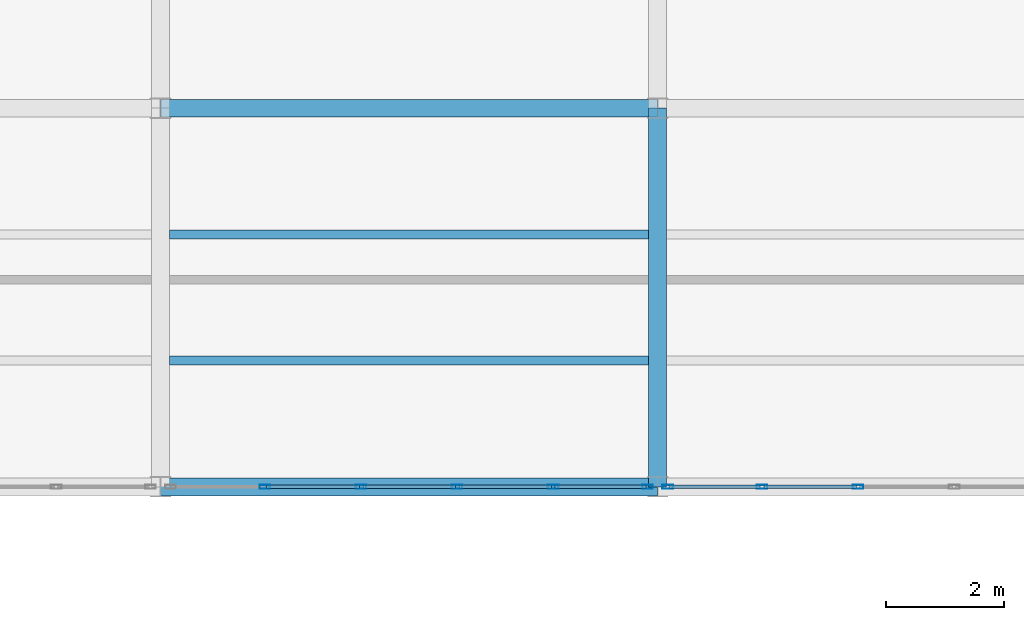
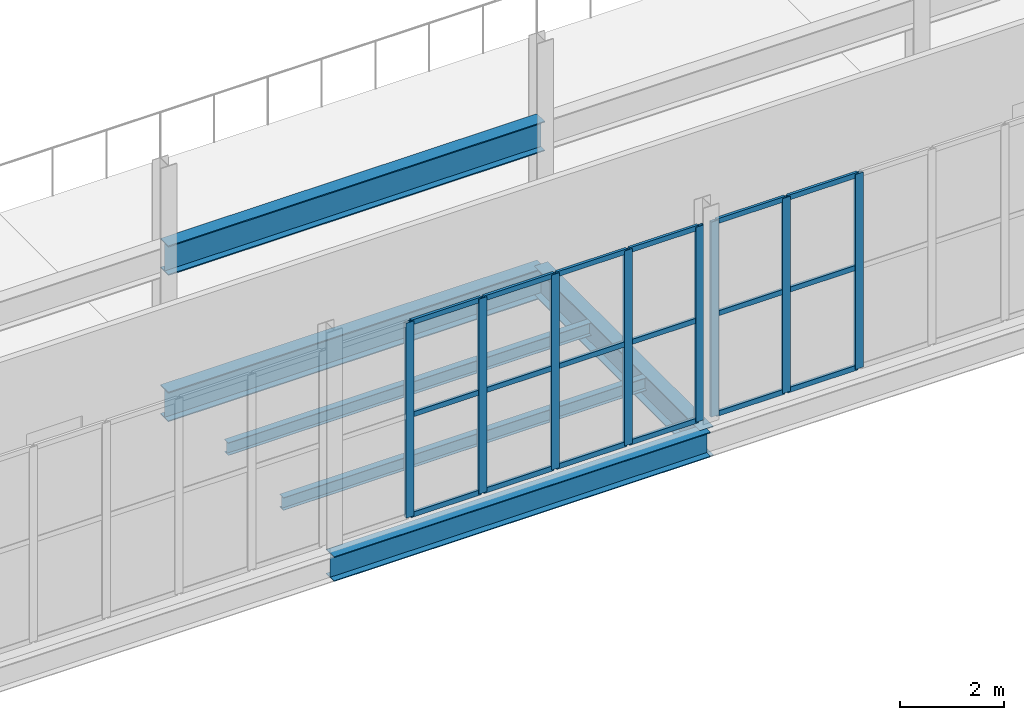
# One storey, part 65 of 218: 26 members, 6 beams, 2 elements without a shape of their own.
"""IFC4 building model written with IfcOpenShell, lengths in metres."""

from ifc_helpers import new_model, si_unit, direction, frame, origin, origin_2d, place, context, subcontext, project, spatial, hollow_rectangle, i_section, extrude, material, material_profile, profile_set, type_object, element, aggregate, save


model = new_model("IFC4")

# Units and contexts
model_context = context("Model", 3, precision=1e-05, world=origin(), true_north=direction((0.0, 1.0)))
body_context = subcontext(model_context, "Body", "Model", "MODEL_VIEW")
ifc_project = project(units=[si_unit("LENGTHUNIT", "METRE"), si_unit("AREAUNIT", "SQUARE_METRE"), si_unit("VOLUMEUNIT", "CUBIC_METRE"), si_unit("PLANEANGLEUNIT", "RADIAN"), si_unit("MASSUNIT", "GRAM", prefix="KILO")], contexts=[model_context])

# Site, building, storey
site_placement = place(None, origin())
site = spatial("IfcSite", under=ifc_project, at=site_placement, CompositionType="ELEMENT")
building_placement = place(site_placement, origin())
building = spatial("IfcBuilding", under=site, at=building_placement, Name="Kazenagashi Tramway Depot", CompositionType="ELEMENT")
storey_placement = place(building_placement, frame((0.0, 0.0, 6.0)))
storey = spatial("IfcBuildingStorey", under=building, at=storey_placement, Name="L02", CompositionType="ELEMENT", Elevation=6.0)

# Beams
ifc_material_1 = material(Name="Steel SN490B", Category="steel")
ifc_material_profile_1 = material_profile(ifc_material_1, i_section(OverallWidth=0.3, OverallDepth=0.7, WebThickness=0.013, FlangeThickness=0.024, at=origin_2d()), Name="H-700x300x13x24")
ifc_profile_set_1 = profile_set([ifc_material_profile_1], Name="Steel SN490B")
beam_type_1 = type_object("IfcBeamType", Name="G-02", PredefinedType="BEAM", material=ifc_profile_set_1)
beam_1_placement = place(storey_placement, frame((78.4, 22.9, -0.6), z_axis=(1.0, 0.0, 0.0), x_axis=(0.0, 1.0, 0.0)))
element("IfcBeam", 1, at=beam_1_placement, inside=storey, type_object=beam_type_1, Name="Beam G-02 BM-1010", PredefinedType="BEAM", context=body_context, shape_type="SweptSolid", body=[
    extrude(i_section(OverallWidth=0.3, OverallDepth=0.7, WebThickness=0.013, FlangeThickness=0.024, at=origin_2d()), origin(), (0.0, 0.0, 1.0), 8.4),
])
beam_2_placement = place(storey_placement, frame((86.8, 16.5, -0.6), z_axis=(0.0, 1.0, 0.0), x_axis=(-1.0, 0.0, 0.0)))
element("IfcBeam", 2, at=beam_2_placement, inside=storey, type_object=beam_type_1, Name="Beam G-02 BM-1059", PredefinedType="BEAM", context=body_context, shape_type="SweptSolid", body=[
    extrude(i_section(OverallWidth=0.3, OverallDepth=0.7, WebThickness=0.013, FlangeThickness=0.024, at=origin_2d()), origin(), (0.0, 0.0, 1.0), 6.4),
])
beam_3_placement = place(storey_placement, frame((78.4, 22.9, 2.85), z_axis=(1.0, 0.0, 0.0), x_axis=(0.0, 1.0, 0.0)))
element("IfcBeam", 3, at=beam_3_placement, inside=storey, type_object=beam_type_1, Name="Beam G-02 BM-1153", PredefinedType="BEAM", context=body_context, shape_type="SweptSolid", body=[
    extrude(i_section(OverallWidth=0.3, OverallDepth=0.7, WebThickness=0.013, FlangeThickness=0.024, at=origin_2d()), origin(), (0.0, 0.0, 1.0), 8.4),
])
ifc_material_2 = material(Name="Steel SN400B", Category="steel")
ifc_material_profile_2 = material_profile(ifc_material_2, i_section(OverallWidth=0.15, OverallDepth=0.3, WebThickness=0.0065, FlangeThickness=0.009, at=origin_2d()), Name="H-300x150x6.5x9")
ifc_profile_set_2 = profile_set([ifc_material_profile_2], Name="Steel SN400B")
beam_type_2 = type_object("IfcBeamType", Name="J-02", PredefinedType="JOIST", material=ifc_profile_set_2)
for number, where, z_axis, x_axis, name in (
    (4, (78.55, 18.633, -0.4), (1.0, 0.0, 0.0), (0.0, 1.0, 0.0), "Beam J-02 BM-1054"),
    (5, (78.55, 20.767, -0.4), (1.0, 0.0, 0.0), (0.0, 1.0, 0.0), "Beam J-02 BM-1055"),
):
    element("IfcBeam", number, at=place(storey_placement, frame(where, z_axis=z_axis, x_axis=x_axis)), inside=storey, type_object=beam_type_2, Name=name, PredefinedType="JOIST", context=body_context, shape_type="SweptSolid", body=[
        extrude(i_section(OverallWidth=0.15, OverallDepth=0.3, WebThickness=0.0065, FlangeThickness=0.009, at=origin_2d()), origin(), (0.0, 0.0, 1.0), 8.1),
    ])

# Curtain wall, members
ifc_material_3 = material(Name="Anodised Aluminium and Low-E Glazing", Category="aluminium")
curtain_wall_type = type_object("IfcCurtainWallType", Name="CW-20", PredefinedType="USERDEFINED", material=ifc_material_3)
curtain_wall_1_placement = place(storey_placement, origin())
curtain_wall_1 = element("IfcCurtainWall", 6, at=curtain_wall_1_placement, inside=storey, type_object=curtain_wall_type, Name="Industrial Glazed Screen CW-20 CW-0099", ObjectType="GLAZED SCREEN", PredefinedType="USERDEFINED")
ifc_material_4 = material(Name="Anodised Aluminium", Category="aluminium")
ifc_material_profile_3 = material_profile(ifc_material_4, hollow_rectangle(XDim=0.07, YDim=0.18, WallThickness=0.005, at=origin_2d()), Name="RHS-180x70x5")
ifc_profile_set_3 = profile_set([ifc_material_profile_3], Name="Anodised Aluminium")
member_type_1 = type_object("IfcMemberType", Name="ML-02", PredefinedType="MULLION", material=ifc_profile_set_3)
member_1_placement = place(storey_placement, frame((80.164, 16.5, 0.0), z_axis=(0.0, 0.0, 1.0), x_axis=(0.0, 1.0, 0.0)))
member_1 = element("IfcMember", 7, at=member_1_placement, type_object=member_type_1, Name="CW-20 mullion 2", PredefinedType="MULLION", context=body_context, shape_type="SweptSolid", body=[
    extrude(hollow_rectangle(XDim=0.07, YDim=0.18, WallThickness=0.005, at=origin_2d()), origin(), (0.0, 0.0, 1.0), 4.6),
])
member_2_placement = place(storey_placement, frame((81.788, 16.5, 0.0), z_axis=(0.0, 0.0, 1.0), x_axis=(0.0, 1.0, 0.0)))
member_2 = element("IfcMember", 8, at=member_2_placement, type_object=member_type_1, Name="CW-20 mullion 3", PredefinedType="MULLION", context=body_context, shape_type="SweptSolid", body=[
    extrude(hollow_rectangle(XDim=0.07, YDim=0.18, WallThickness=0.005, at=origin_2d()), origin(), (0.0, 0.0, 1.0), 4.6),
])
member_3_placement = place(storey_placement, frame((83.412, 16.5, 0.0), z_axis=(0.0, 0.0, 1.0), x_axis=(0.0, 1.0, 0.0)))
member_3 = element("IfcMember", 9, at=member_3_placement, type_object=member_type_1, Name="CW-20 mullion 4", PredefinedType="MULLION", context=body_context, shape_type="SweptSolid", body=[
    extrude(hollow_rectangle(XDim=0.07, YDim=0.18, WallThickness=0.005, at=origin_2d()), origin(), (0.0, 0.0, 1.0), 4.6),
])
member_4_placement = place(storey_placement, frame((85.036, 16.5, 0.0), z_axis=(0.0, 0.0, 1.0), x_axis=(0.0, 1.0, 0.0)))
member_4 = element("IfcMember", 10, at=member_4_placement, type_object=member_type_1, Name="CW-20 mullion 5", PredefinedType="MULLION", context=body_context, shape_type="SweptSolid", body=[
    extrude(hollow_rectangle(XDim=0.07, YDim=0.18, WallThickness=0.005, at=origin_2d()), origin(), (0.0, 0.0, 1.0), 4.6),
])
member_5_placement = place(storey_placement, frame((86.63, 16.5, 0.0), z_axis=(0.0, 0.0, 1.0), x_axis=(0.0, 1.0, 0.0)))
member_5 = element("IfcMember", 11, at=member_5_placement, type_object=member_type_1, Name="CW-20 mullion 6", PredefinedType="MULLION", context=body_context, shape_type="SweptSolid", body=[
    extrude(hollow_rectangle(XDim=0.07, YDim=0.18, WallThickness=0.005, at=origin_2d()), origin(), (0.0, 0.0, 1.0), 4.6),
])

curtain_wall_2_placement = place(storey_placement, origin())
curtain_wall_2 = element("IfcCurtainWall", 12, at=curtain_wall_2_placement, inside=storey, type_object=curtain_wall_type, Name="Industrial Glazed Screen CW-20 CW-0100", ObjectType="GLAZED SCREEN", PredefinedType="USERDEFINED")
member_6_placement = place(storey_placement, frame((86.97, 16.5, 0.0), z_axis=(0.0, 0.0, 1.0), x_axis=(0.0, 1.0, 0.0)))
member_6 = element("IfcMember", 13, at=member_6_placement, type_object=member_type_1, Name="CW-20 mullion 1", PredefinedType="MULLION", context=body_context, shape_type="SweptSolid", body=[
    extrude(hollow_rectangle(XDim=0.07, YDim=0.18, WallThickness=0.005, at=origin_2d()), origin(), (0.0, 0.0, 1.0), 4.6),
])
member_7_placement = place(storey_placement, frame((88.564, 16.5, 0.0), z_axis=(0.0, 0.0, 1.0), x_axis=(0.0, 1.0, 0.0)))
member_7 = element("IfcMember", 14, at=member_7_placement, type_object=member_type_1, Name="CW-20 mullion 2", PredefinedType="MULLION", context=body_context, shape_type="SweptSolid", body=[
    extrude(hollow_rectangle(XDim=0.07, YDim=0.18, WallThickness=0.005, at=origin_2d()), origin(), (0.0, 0.0, 1.0), 4.6),
])
member_8_placement = place(storey_placement, frame((90.188, 16.5, 0.0), z_axis=(0.0, 0.0, 1.0), x_axis=(0.0, 1.0, 0.0)))
member_8 = element("IfcMember", 15, at=member_8_placement, type_object=member_type_1, Name="CW-20 mullion 3", PredefinedType="MULLION", context=body_context, shape_type="SweptSolid", body=[
    extrude(hollow_rectangle(XDim=0.07, YDim=0.18, WallThickness=0.005, at=origin_2d()), origin(), (0.0, 0.0, 1.0), 4.6),
])

# Beam
ifc_material_profile_4 = material_profile(ifc_material_1, i_section(OverallWidth=0.3, OverallDepth=0.588, WebThickness=0.012, FlangeThickness=0.02, at=origin_2d()), Name="H-588x300x12x20")
ifc_profile_set_4 = profile_set([ifc_material_profile_4], Name="Steel SN490B")
beam_type_3 = type_object("IfcBeamType", Name="SP-01", PredefinedType="SPANDREL", material=ifc_profile_set_4)
beam_4_placement = place(storey_placement, frame((78.4, 16.5, -0.544), z_axis=(1.0, 0.0, 0.0), x_axis=(0.0, 1.0, 0.0)))
element("IfcBeam", 16, at=beam_4_placement, inside=storey, type_object=beam_type_3, Name="Beam SP-01 BM-0998", PredefinedType="SPANDREL", context=body_context, shape_type="SweptSolid", body=[
    extrude(i_section(OverallWidth=0.3, OverallDepth=0.588, WebThickness=0.012, FlangeThickness=0.02, at=origin_2d()), origin(), (0.0, 0.0, 1.0), 8.4),
])

# Member
ifc_material_profile_5 = material_profile(ifc_material_4, hollow_rectangle(XDim=0.06, YDim=0.12, WallThickness=0.004, at=origin_2d()), Name="RHS-120x60x4")
ifc_profile_set_5 = profile_set([ifc_material_profile_5], Name="Anodised Aluminium")
member_type_2 = type_object("IfcMemberType", Name="TR-01", PredefinedType="USERDEFINED", material=ifc_profile_set_5)
member_9_placement = place(storey_placement, frame((80.194, 16.5, 0.03), z_axis=(1.0, 0.0, 0.0), x_axis=(0.0, 1.0, 0.0)))
member_9 = element("IfcMember", 17, at=member_9_placement, type_object=member_type_2, Name="CW-20 transom 2.1", ObjectType="TRANSOM", PredefinedType="USERDEFINED", context=body_context, shape_type="SweptSolid", body=[
    extrude(hollow_rectangle(XDim=0.06, YDim=0.12, WallThickness=0.004, at=origin_2d()), origin(), (0.0, 0.0, 1.0), 1.564),
])

member_10_placement = place(storey_placement, frame((80.194, 16.5, 2.392), z_axis=(1.0, 0.0, 0.0), x_axis=(0.0, 1.0, 0.0)))
member_10 = element("IfcMember", 18, at=member_10_placement, type_object=member_type_2, Name="CW-20 transom 2.2", ObjectType="TRANSOM", PredefinedType="USERDEFINED", context=body_context, shape_type="SweptSolid", body=[
    extrude(hollow_rectangle(XDim=0.06, YDim=0.12, WallThickness=0.004, at=origin_2d()), origin(), (0.0, 0.0, 1.0), 1.564),
])

member_11_placement = place(storey_placement, frame((80.194, 16.5, 4.57), z_axis=(1.0, 0.0, 0.0), x_axis=(0.0, 1.0, 0.0)))
member_11 = element("IfcMember", 19, at=member_11_placement, type_object=member_type_2, Name="CW-20 transom 2.3", ObjectType="TRANSOM", PredefinedType="USERDEFINED", context=body_context, shape_type="SweptSolid", body=[
    extrude(hollow_rectangle(XDim=0.06, YDim=0.12, WallThickness=0.004, at=origin_2d()), origin(), (0.0, 0.0, 1.0), 1.564),
])

member_12_placement = place(storey_placement, frame((81.818, 16.5, 0.03), z_axis=(1.0, 0.0, 0.0), x_axis=(0.0, 1.0, 0.0)))
member_12 = element("IfcMember", 20, at=member_12_placement, type_object=member_type_2, Name="CW-20 transom 3.1", ObjectType="TRANSOM", PredefinedType="USERDEFINED", context=body_context, shape_type="SweptSolid", body=[
    extrude(hollow_rectangle(XDim=0.06, YDim=0.12, WallThickness=0.004, at=origin_2d()), origin(), (0.0, 0.0, 1.0), 1.564),
])

member_13_placement = place(storey_placement, frame((81.818, 16.5, 2.392), z_axis=(1.0, 0.0, 0.0), x_axis=(0.0, 1.0, 0.0)))
member_13 = element("IfcMember", 21, at=member_13_placement, type_object=member_type_2, Name="CW-20 transom 3.2", ObjectType="TRANSOM", PredefinedType="USERDEFINED", context=body_context, shape_type="SweptSolid", body=[
    extrude(hollow_rectangle(XDim=0.06, YDim=0.12, WallThickness=0.004, at=origin_2d()), origin(), (0.0, 0.0, 1.0), 1.564),
])

member_14_placement = place(storey_placement, frame((81.818, 16.5, 4.57), z_axis=(1.0, 0.0, 0.0), x_axis=(0.0, 1.0, 0.0)))
member_14 = element("IfcMember", 22, at=member_14_placement, type_object=member_type_2, Name="CW-20 transom 3.3", ObjectType="TRANSOM", PredefinedType="USERDEFINED", context=body_context, shape_type="SweptSolid", body=[
    extrude(hollow_rectangle(XDim=0.06, YDim=0.12, WallThickness=0.004, at=origin_2d()), origin(), (0.0, 0.0, 1.0), 1.564),
])

member_15_placement = place(storey_placement, frame((83.442, 16.5, 0.03), z_axis=(1.0, 0.0, 0.0), x_axis=(0.0, 1.0, 0.0)))
member_15 = element("IfcMember", 23, at=member_15_placement, type_object=member_type_2, Name="CW-20 transom 4.1", ObjectType="TRANSOM", PredefinedType="USERDEFINED", context=body_context, shape_type="SweptSolid", body=[
    extrude(hollow_rectangle(XDim=0.06, YDim=0.12, WallThickness=0.004, at=origin_2d()), origin(), (0.0, 0.0, 1.0), 1.564),
])

member_16_placement = place(storey_placement, frame((83.442, 16.5, 2.392), z_axis=(1.0, 0.0, 0.0), x_axis=(0.0, 1.0, 0.0)))
member_16 = element("IfcMember", 24, at=member_16_placement, type_object=member_type_2, Name="CW-20 transom 4.2", ObjectType="TRANSOM", PredefinedType="USERDEFINED", context=body_context, shape_type="SweptSolid", body=[
    extrude(hollow_rectangle(XDim=0.06, YDim=0.12, WallThickness=0.004, at=origin_2d()), origin(), (0.0, 0.0, 1.0), 1.564),
])

member_17_placement = place(storey_placement, frame((83.442, 16.5, 4.57), z_axis=(1.0, 0.0, 0.0), x_axis=(0.0, 1.0, 0.0)))
member_17 = element("IfcMember", 25, at=member_17_placement, type_object=member_type_2, Name="CW-20 transom 4.3", ObjectType="TRANSOM", PredefinedType="USERDEFINED", context=body_context, shape_type="SweptSolid", body=[
    extrude(hollow_rectangle(XDim=0.06, YDim=0.12, WallThickness=0.004, at=origin_2d()), origin(), (0.0, 0.0, 1.0), 1.564),
])

member_18_placement = place(storey_placement, frame((85.066, 16.5, 0.03), z_axis=(1.0, 0.0, 0.0), x_axis=(0.0, 1.0, 0.0)))
member_18 = element("IfcMember", 26, at=member_18_placement, type_object=member_type_2, Name="CW-20 transom 5.1", ObjectType="TRANSOM", PredefinedType="USERDEFINED", context=body_context, shape_type="SweptSolid", body=[
    extrude(hollow_rectangle(XDim=0.06, YDim=0.12, WallThickness=0.004, at=origin_2d()), origin(), (0.0, 0.0, 1.0), 1.534),
])

member_19_placement = place(storey_placement, frame((85.066, 16.5, 2.392), z_axis=(1.0, 0.0, 0.0), x_axis=(0.0, 1.0, 0.0)))
member_19 = element("IfcMember", 27, at=member_19_placement, type_object=member_type_2, Name="CW-20 transom 5.2", ObjectType="TRANSOM", PredefinedType="USERDEFINED", context=body_context, shape_type="SweptSolid", body=[
    extrude(hollow_rectangle(XDim=0.06, YDim=0.12, WallThickness=0.004, at=origin_2d()), origin(), (0.0, 0.0, 1.0), 1.534),
])

member_20_placement = place(storey_placement, frame((85.066, 16.5, 4.57), z_axis=(1.0, 0.0, 0.0), x_axis=(0.0, 1.0, 0.0)))
member_20 = element("IfcMember", 28, at=member_20_placement, type_object=member_type_2, Name="CW-20 transom 5.3", ObjectType="TRANSOM", PredefinedType="USERDEFINED", context=body_context, shape_type="SweptSolid", body=[
    extrude(hollow_rectangle(XDim=0.06, YDim=0.12, WallThickness=0.004, at=origin_2d()), origin(), (0.0, 0.0, 1.0), 1.534),
])

aggregate(curtain_wall_1, [member_1, member_2, member_3, member_4, member_5, member_9, member_10, member_11, member_12, member_13, member_14, member_15, member_16, member_17, member_18, member_19, member_20])

member_21_placement = place(storey_placement, frame((87.0, 16.5, 0.03), z_axis=(1.0, 0.0, 0.0), x_axis=(0.0, 1.0, 0.0)))
member_21 = element("IfcMember", 29, at=member_21_placement, type_object=member_type_2, Name="CW-20 transom 1.1", ObjectType="TRANSOM", PredefinedType="USERDEFINED", context=body_context, shape_type="SweptSolid", body=[
    extrude(hollow_rectangle(XDim=0.06, YDim=0.12, WallThickness=0.004, at=origin_2d()), origin(), (0.0, 0.0, 1.0), 1.534),
])

member_22_placement = place(storey_placement, frame((87.0, 16.5, 2.392), z_axis=(1.0, 0.0, 0.0), x_axis=(0.0, 1.0, 0.0)))
member_22 = element("IfcMember", 30, at=member_22_placement, type_object=member_type_2, Name="CW-20 transom 1.2", ObjectType="TRANSOM", PredefinedType="USERDEFINED", context=body_context, shape_type="SweptSolid", body=[
    extrude(hollow_rectangle(XDim=0.06, YDim=0.12, WallThickness=0.004, at=origin_2d()), origin(), (0.0, 0.0, 1.0), 1.534),
])

member_23_placement = place(storey_placement, frame((87.0, 16.5, 4.57), z_axis=(1.0, 0.0, 0.0), x_axis=(0.0, 1.0, 0.0)))
member_23 = element("IfcMember", 31, at=member_23_placement, type_object=member_type_2, Name="CW-20 transom 1.3", ObjectType="TRANSOM", PredefinedType="USERDEFINED", context=body_context, shape_type="SweptSolid", body=[
    extrude(hollow_rectangle(XDim=0.06, YDim=0.12, WallThickness=0.004, at=origin_2d()), origin(), (0.0, 0.0, 1.0), 1.534),
])

member_24_placement = place(storey_placement, frame((88.594, 16.5, 0.03), z_axis=(1.0, 0.0, 0.0), x_axis=(0.0, 1.0, 0.0)))
member_24 = element("IfcMember", 32, at=member_24_placement, type_object=member_type_2, Name="CW-20 transom 2.1", ObjectType="TRANSOM", PredefinedType="USERDEFINED", context=body_context, shape_type="SweptSolid", body=[
    extrude(hollow_rectangle(XDim=0.06, YDim=0.12, WallThickness=0.004, at=origin_2d()), origin(), (0.0, 0.0, 1.0), 1.564),
])

member_25_placement = place(storey_placement, frame((88.594, 16.5, 2.392), z_axis=(1.0, 0.0, 0.0), x_axis=(0.0, 1.0, 0.0)))
member_25 = element("IfcMember", 33, at=member_25_placement, type_object=member_type_2, Name="CW-20 transom 2.2", ObjectType="TRANSOM", PredefinedType="USERDEFINED", context=body_context, shape_type="SweptSolid", body=[
    extrude(hollow_rectangle(XDim=0.06, YDim=0.12, WallThickness=0.004, at=origin_2d()), origin(), (0.0, 0.0, 1.0), 1.564),
])

member_26_placement = place(storey_placement, frame((88.594, 16.5, 4.57), z_axis=(1.0, 0.0, 0.0), x_axis=(0.0, 1.0, 0.0)))
member_26 = element("IfcMember", 34, at=member_26_placement, type_object=member_type_2, Name="CW-20 transom 2.3", ObjectType="TRANSOM", PredefinedType="USERDEFINED", context=body_context, shape_type="SweptSolid", body=[
    extrude(hollow_rectangle(XDim=0.06, YDim=0.12, WallThickness=0.004, at=origin_2d()), origin(), (0.0, 0.0, 1.0), 1.564),
])

aggregate(curtain_wall_2, [member_6, member_7, member_8, member_21, member_22, member_23, member_24, member_25, member_26])

save(model, "model.ifc")
